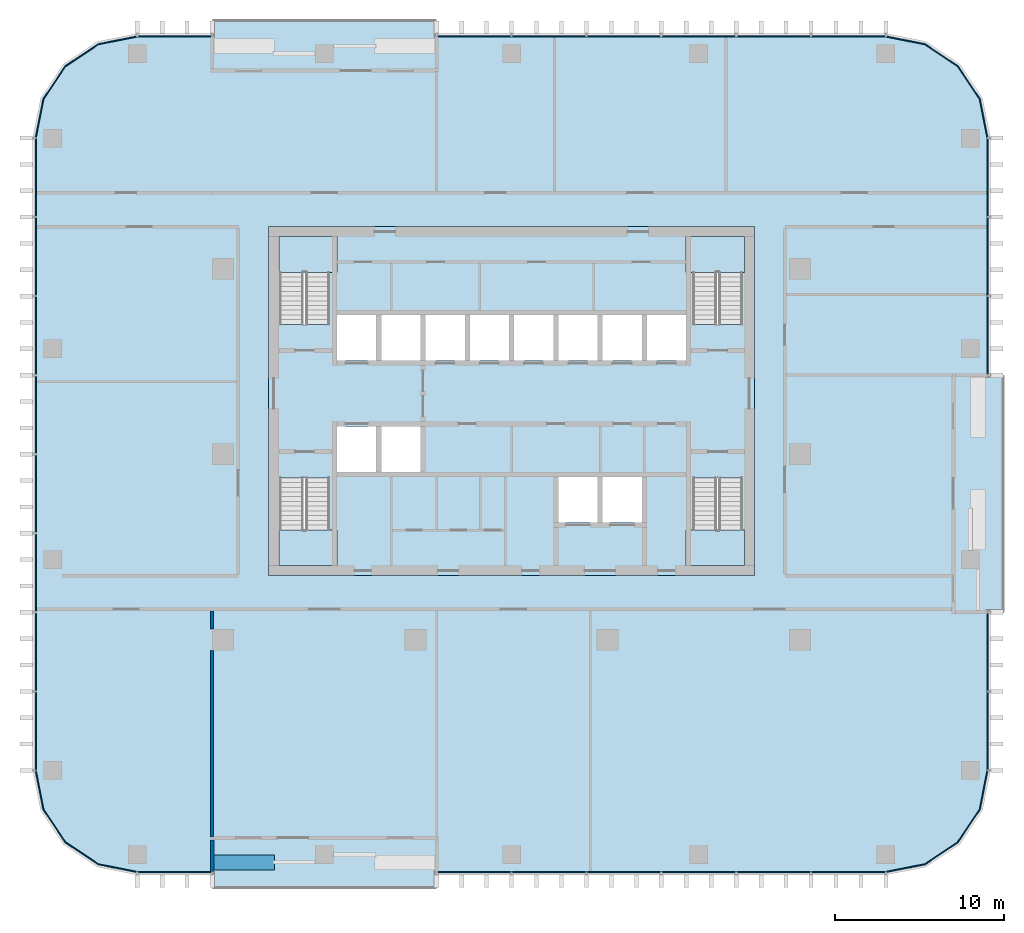
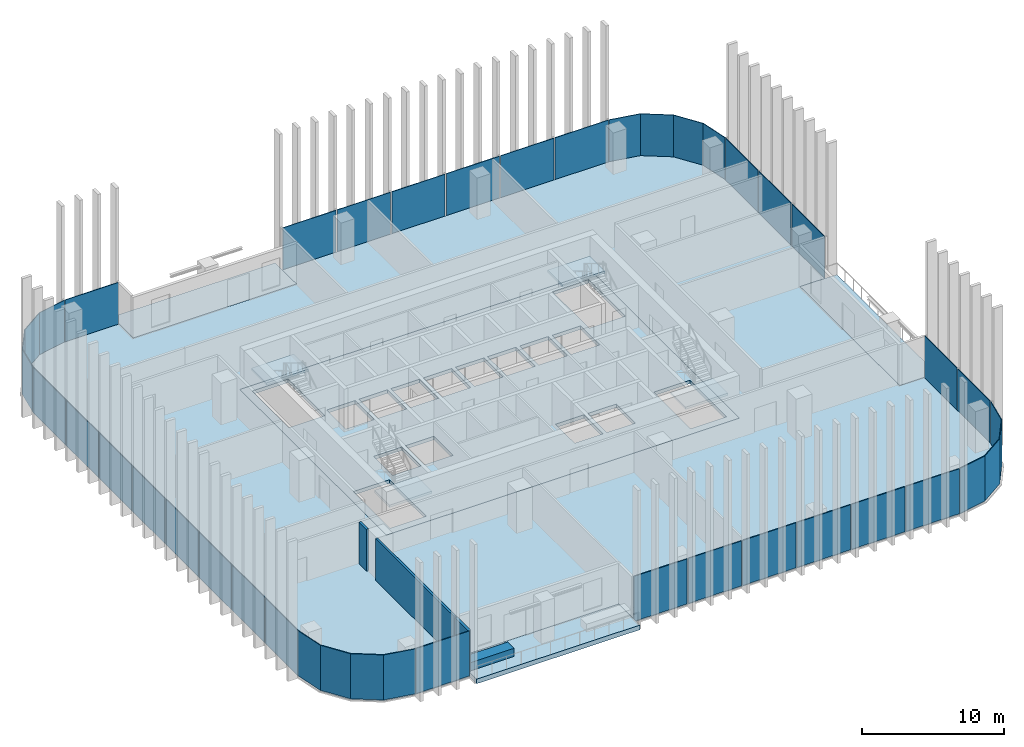
# One storey, part 6 of 15: 31 plates, 9 slabs, 4 walls, 15 elements without a shape of their own.
"""IFC4 building model written with IfcOpenShell, lengths in metres."""

from ifc_helpers import new_model, si_unit, direction, frame, frame_2d, origin, origin_2d, place, context, subcontext, project, spatial, polyline, rectangle, outline, extrude, material, layer, layer_set, type_object, element, aggregate, save


model = new_model("IFC4")

# Units and contexts
model_context = context("Model", 3, precision=1e-05, world=origin(), true_north=direction((0.0, 1.0)))
body_context = subcontext(model_context, "Body", "Model", "MODEL_VIEW")
ifc_project = project(units=[si_unit("LENGTHUNIT", "METRE"), si_unit("AREAUNIT", "SQUARE_METRE"), si_unit("VOLUMEUNIT", "CUBIC_METRE"), si_unit("PLANEANGLEUNIT", "RADIAN"), si_unit("MASSUNIT", "GRAM", prefix="KILO")], contexts=[model_context])

# Site, building, storey
site_placement = place(None, origin())
site = spatial("IfcSite", under=ifc_project, at=site_placement, CompositionType="ELEMENT")
building_placement = place(site_placement, origin())
building = spatial("IfcBuilding", under=site, at=building_placement, Name="Mopane Tessera Tower", CompositionType="ELEMENT")
storey_placement = place(building_placement, frame((0.0, 0.0, 211.0)))
storey = spatial("IfcBuildingStorey", under=building, at=storey_placement, Name="L44", CompositionType="ELEMENT", Elevation=211.0)

# Slab
ifc_material_1 = material(Name="Concrete C40/50", Category="concrete")
ifc_layer_1 = layer(ifc_material_1, 0.300048828125)
ifc_layer_set_1 = layer_set([ifc_layer_1], Name="Concrete C40/50")
slab_type_1 = type_object("IfcSlabType", Name="Core floor slab 300 mm", PredefinedType="FLOOR", material=ifc_layer_set_1)
slab_1_placement = place(storey_placement, frame((0.0, 0.0, -0.300048828125)))
element("IfcSlab", 1, at=slab_1_placement, inside=storey, type_object=slab_type_1, Name="L44 core floor slab", PredefinedType="FLOOR", context=body_context, shape_type="SweptSolid", body=[
    extrude(outline(polyline([(-14.39990234375, -7.199951171875), (14.39990234375, -7.199951171875), (14.39990234375, 13.5), (-14.39990234375, 13.5), (-14.39990234375, -7.199951171875)]), holes=[polyline([(-10.35009765625, -1.050048828125), (-8.02490234375, -1.050048828125), (-8.02490234375, 1.64990234375), (-10.35009765625, 1.64990234375), (-10.35009765625, -1.050048828125)]), polyline([(-7.72509765625, -1.050048828125), (-5.39990234375, -1.050048828125), (-5.39990234375, 1.64990234375), (-7.72509765625, 1.64990234375), (-7.72509765625, -1.050048828125)]), polyline([(-10.35009765625, 5.550048828125), (-8.02490234375, 5.550048828125), (-8.02490234375, 8.25), (-10.35009765625, 8.25), (-10.35009765625, 5.550048828125)]), polyline([(-7.72509765625, 5.550048828125), (-5.39990234375, 5.550048828125), (-5.39990234375, 8.25), (-7.72509765625, 8.25), (-7.72509765625, 5.550048828125)]), polyline([(-5.10009765625, 5.550048828125), (-2.77490234375, 5.550048828125), (-2.77490234375, 8.25), (-5.10009765625, 8.25), (-5.10009765625, 5.550048828125)]), polyline([(-2.47509765625, 5.550048828125), (-0.14990234375, 5.550048828125), (-0.14990234375, 8.25), (-2.47509765625, 8.25), (-2.47509765625, 5.550048828125)]), polyline([(0.14990234375, 5.550048828125), (2.47509765625, 5.550048828125), (2.47509765625, 8.25), (0.14990234375, 8.25), (0.14990234375, 5.550048828125)]), polyline([(2.77490234375, 5.550048828125), (5.10009765625, 5.550048828125), (5.10009765625, 8.25), (2.77490234375, 8.25), (2.77490234375, 5.550048828125)]), polyline([(5.39990234375, 5.550048828125), (7.72509765625, 5.550048828125), (7.72509765625, 8.25), (5.39990234375, 8.25), (5.39990234375, 5.550048828125)]), polyline([(8.02490234375, 5.550048828125), (10.35009765625, 5.550048828125), (10.35009765625, 8.25), (8.02490234375, 8.25), (8.02490234375, 5.550048828125)]), polyline([(2.77490234375, -4.050048828125), (5.10009765625, -4.050048828125), (5.10009765625, -1.35009765625), (2.77490234375, -1.35009765625), (2.77490234375, -4.050048828125)]), polyline([(5.39990234375, -4.050048828125), (7.72509765625, -4.050048828125), (7.72509765625, -1.35009765625), (5.39990234375, -1.35009765625), (5.39990234375, -4.050048828125)]), polyline([(-13.75, -1.405029296875), (-13.75, -6.60009765625), (-10.800048828125, -6.60009765625), (-10.800048828125, -1.405029296875), (-13.75, -1.405029296875)]), polyline([(-10.800048828125, 7.705078125), (-10.800048828125, 12.89990234375), (-13.75, 12.89990234375), (-13.75, 7.705078125), (-10.800048828125, 7.705078125)]), polyline([(10.75, -1.405029296875), (10.75, -6.60009765625), (13.699951171875, -6.60009765625), (13.699951171875, -1.405029296875), (10.75, -1.405029296875)]), polyline([(13.699951171875, 7.705078125), (13.699951171875, 12.89990234375), (10.75, 12.89990234375), (10.75, 7.705078125), (13.699951171875, 7.705078125)])]), origin(), (0.0, 0.0, 1.0), 0.300048828125),
])

# Stair, slab
ifc_material_2 = material(Name="Concrete C50/60", Category="concrete")
stair_type = type_object("IfcStairType", Name="Escape stair 1400 mm, riser 167 mm", PredefinedType="HALF_TURN_STAIR", material=ifc_material_2)
stair_1_placement = place(storey_placement, origin())
stair_1 = element("IfcStair", 2, at=stair_1_placement, inside=storey, type_object=stair_type, Name="L44 Escape stair south-west", PredefinedType="HALF_TURN_STAIR")
ifc_material_3 = material(Name="Concrete C50/60", Category="concrete")
ifc_layer_2 = layer(ifc_material_3, 0.199951171875)
ifc_layer_set_2 = layer_set([ifc_layer_2], Name="Concrete C50/60")
slab_type_2 = type_object("IfcSlabType", Name="Escape stair landing 200 mm", PredefinedType="LANDING", material=ifc_layer_set_2)
slab_2_placement = place(storey_placement, frame((0.0, 0.0, 1.800048828125)))
slab_2 = element("IfcSlab", 3, at=slab_2_placement, type_object=slab_type_2, Name="ST1 landing 1", PredefinedType="LANDING", context=body_context, shape_type="SweptSolid", body=[
    extrude(outline(polyline([(-13.800048828125, -4.47998046875), (-13.800048828125, -6.60009765625), (-10.35009765625, -6.60009765625), (-10.35009765625, -4.47998046875), (-13.800048828125, -4.47998046875)])), origin(), (0.0, 0.0, 1.0), 0.199951171875),
])
aggregate(stair_1, [slab_2])

stair_2_placement = place(storey_placement, origin())
stair_2 = element("IfcStair", 4, at=stair_2_placement, inside=storey, type_object=stair_type, Name="L44 Escape stair north-west", PredefinedType="HALF_TURN_STAIR")
slab_3_placement = place(storey_placement, frame((0.0, 0.0, 1.800048828125)))
slab_3 = element("IfcSlab", 5, at=slab_3_placement, type_object=slab_type_2, Name="ST2 landing 1", PredefinedType="LANDING", context=body_context, shape_type="SweptSolid", body=[
    extrude(outline(polyline([(-10.35009765625, 10.780029296875), (-10.35009765625, 12.89990234375), (-13.800048828125, 12.89990234375), (-13.800048828125, 10.780029296875), (-10.35009765625, 10.780029296875)])), origin(), (0.0, 0.0, 1.0), 0.199951171875),
])
aggregate(stair_2, [slab_3])

stair_3_placement = place(storey_placement, origin())
stair_3 = element("IfcStair", 6, at=stair_3_placement, inside=storey, type_object=stair_type, Name="L44 Escape stair south-east", PredefinedType="HALF_TURN_STAIR")
slab_4_placement = place(storey_placement, frame((0.0, 0.0, 1.800048828125)))
slab_4 = element("IfcSlab", 7, at=slab_4_placement, type_object=slab_type_2, Name="ST3 landing 1", PredefinedType="LANDING", context=body_context, shape_type="SweptSolid", body=[
    extrude(outline(polyline([(10.35009765625, -4.47998046875), (10.35009765625, -6.60009765625), (13.800048828125, -6.60009765625), (13.800048828125, -4.47998046875), (10.35009765625, -4.47998046875)])), origin(), (0.0, 0.0, 1.0), 0.199951171875),
])
aggregate(stair_3, [slab_4])

stair_4_placement = place(storey_placement, origin())
stair_4 = element("IfcStair", 8, at=stair_4_placement, inside=storey, type_object=stair_type, Name="L44 Escape stair north-east", PredefinedType="HALF_TURN_STAIR")
slab_5_placement = place(storey_placement, frame((0.0, 0.0, 1.800048828125)))
slab_5 = element("IfcSlab", 9, at=slab_5_placement, type_object=slab_type_2, Name="ST4 landing 1", PredefinedType="LANDING", context=body_context, shape_type="SweptSolid", body=[
    extrude(outline(polyline([(13.800048828125, 10.780029296875), (13.800048828125, 12.89990234375), (10.35009765625, 12.89990234375), (10.35009765625, 10.780029296875), (13.800048828125, 10.780029296875)])), origin(), (0.0, 0.0, 1.0), 0.199951171875),
])
aggregate(stair_4, [slab_5])

# Slabs
ifc_material_4 = material(Name="Concrete C40/50", Category="concrete")
ifc_layer_3 = layer(ifc_material_4, 0.39990234375)
ifc_layer_set_3 = layer_set([ifc_layer_3], Name="Concrete C40/50")
slab_type_3 = type_object("IfcSlabType", Name="Planted terrace slab 400 mm", PredefinedType="FLOOR", material=ifc_layer_set_3)
slab_6_placement = place(storey_placement, frame((0.0, 0.0, -0.39990234375)))
element("IfcSlab", 10, at=slab_6_placement, inside=storey, type_object=slab_type_3, Name="Terrace slab N1 L44", PredefinedType="FLOOR", context=body_context, shape_type="SweptSolid", body=[
    extrude(outline(polyline([(-4.43994140625, -25.75), (-4.43994140625, -22.75), (-17.760009765625, -22.75), (-17.760009765625, -25.75), (-4.43994140625, -25.75)])), origin(), (0.0, 0.0, 1.0), 0.39990234375),
])
slab_7_placement = place(storey_placement, frame((0.0, 0.0, -0.39990234375)))
element("IfcSlab", 11, at=slab_7_placement, inside=storey, type_object=slab_type_3, Name="Terrace slab N2 L44", PredefinedType="FLOOR", context=body_context, shape_type="SweptSolid", body=[
    extrude(outline(polyline([(29.199951171875, 4.6875), (26.199951171875, 4.6875), (26.199951171875, -9.375), (29.199951171875, -9.375), (29.199951171875, 4.6875)])), origin(), (0.0, 0.0, 1.0), 0.39990234375),
])
slab_8_placement = place(storey_placement, frame((0.0, 0.0, -0.39990234375)))
element("IfcSlab", 12, at=slab_8_placement, inside=storey, type_object=slab_type_3, Name="Terrace slab N3 L44", PredefinedType="FLOOR", context=body_context, shape_type="SweptSolid", body=[
    extrude(outline(polyline([(-17.760009765625, 25.75), (-17.760009765625, 22.75), (-4.43994140625, 22.75), (-4.43994140625, 25.75), (-17.760009765625, 25.75)])), origin(), (0.0, 0.0, 1.0), 0.39990234375),
])
ifc_material_5 = material(Name="Concrete C40/50", Category="concrete")
ifc_layer_4 = layer(ifc_material_5, 0.39990234375)
ifc_layer_set_4 = layer_set([ifc_layer_4], Name="Concrete C40/50")
slab_type_4 = type_object("IfcSlabType", Name="Post-tensioned flat plate 400 mm", PredefinedType="FLOOR", material=ifc_layer_set_4)
slab_9_placement = place(storey_placement, frame((0.0, 0.0, -0.39990234375)))
element("IfcSlab", 13, at=slab_9_placement, inside=storey, type_object=slab_type_4, Name="Floor slab L44", PredefinedType="FLOOR", context=body_context, shape_type="SweptSolid", body=[
    extrude(outline(polyline([(-22.199951171875, -24.75), (-17.760009765625, -24.75), (-17.760009765625, -22.75), (-4.43994140625, -22.75), (-4.43994140625, -24.75), (22.199951171875, -24.75), (24.49609375, -24.293212890625), (26.442626953125, -22.99267578125), (27.7431640625, -21.046142578125), (28.199951171875, -18.75), (28.199951171875, -9.375), (26.199951171875, -9.375), (26.199951171875, 4.6875), (28.199951171875, 4.6875), (28.199951171875, 18.75), (27.7431640625, 21.046142578125), (26.442626953125, 22.99267578125), (24.49609375, 24.293212890625), (22.199951171875, 24.75), (-4.43994140625, 24.75), (-4.43994140625, 22.75), (-17.760009765625, 22.75), (-17.760009765625, 24.75), (-22.199951171875, 24.75), (-24.49609375, 24.293212890625), (-26.442626953125, 22.99267578125), (-27.7431640625, 21.046142578125), (-28.199951171875, 18.75), (-28.199951171875, -18.75), (-27.7431640625, -21.046142578125), (-26.442626953125, -22.99267578125), (-24.49609375, -24.293212890625), (-22.199951171875, -24.75)]), holes=[polyline([(14.39990234375, -7.199951171875), (-14.39990234375, -7.199951171875), (-14.39990234375, 13.5), (14.39990234375, 13.5), (14.39990234375, -7.199951171875)])]), origin(), (0.0, 0.0, 1.0), 0.39990234375),
])

# Curtain wall, plate
ifc_material_6 = material(Name="Aluminium frame", Category="aluminium")
curtain_wall_type = type_object("IfcCurtainWallType", Name="Unitised curtain wall", PredefinedType="NOTDEFINED", material=ifc_material_6)
curtain_wall_1_placement = place(storey_placement, origin())
curtain_wall_1 = element("IfcCurtainWall", 14, at=curtain_wall_1_placement, inside=storey, type_object=curtain_wall_type, Name="e:cw:L44:S:0", PredefinedType="NOTDEFINED")
ifc_material_7 = material(Name="Clear laminated glass", Category="glass")
ifc_layer_5 = layer(ifc_material_7, 0.06005859375)
ifc_layer_set_5 = layer_set([ifc_layer_5], Name="Clear laminated glass")
plate_type = type_object("IfcPlateType", Name="Unitised glazed unit", PredefinedType="CURTAIN_PANEL", material=ifc_layer_set_5)
plate_1_placement = place(storey_placement, frame((-19.97998046875, -24.780029296875, -0.280029296875), z_axis=(0.0, 0.0, 1.0), x_axis=(1.0, 0.0, 0.0)))
plate_1 = element("IfcPlate", 15, at=plate_1_placement, type_object=plate_type, Name="e:cw:L44:S:0:pn0", PredefinedType="CURTAIN_PANEL", context=body_context, shape_type="SweptSolid", body=[
    extrude(rectangle(XDim=4.340087890625, YDim=0.06005859375, at=origin_2d()), origin(), (0.0, 0.0, 1.0), 3.8798828125),
])
aggregate(curtain_wall_1, [plate_1])

# Curtain wall, plates
curtain_wall_2_placement = place(storey_placement, origin())
curtain_wall_2 = element("IfcCurtainWall", 16, at=curtain_wall_2_placement, inside=storey, type_object=curtain_wall_type, Name="e:cw:L44:S:4", PredefinedType="NOTDEFINED")
plate_2_placement = place(storey_placement, frame((-2.219970703125, -24.780029296875, -0.280029296875), z_axis=(0.0, 0.0, 1.0), x_axis=(1.0, 0.0, 0.0)))
plate_2 = element("IfcPlate", 17, at=plate_2_placement, type_object=plate_type, Name="e:cw:L44:S:4:pn4", PredefinedType="CURTAIN_PANEL", context=body_context, shape_type="SweptSolid", body=[
    extrude(rectangle(XDim=4.340087890625, YDim=0.06005859375, at=origin_2d()), origin(), (0.0, 0.0, 1.0), 3.8798828125),
])
plate_3_placement = place(storey_placement, frame((2.219970703125, -24.780029296875, -0.280029296875), z_axis=(0.0, 0.0, 1.0), x_axis=(1.0, 0.0, 0.0)))
plate_3 = element("IfcPlate", 18, at=plate_3_placement, type_object=plate_type, Name="e:cw:L44:S:4:pn5", PredefinedType="CURTAIN_PANEL", context=body_context, shape_type="SweptSolid", body=[
    extrude(rectangle(XDim=4.340087890625, YDim=0.06005859375, at=origin_2d()), origin(), (0.0, 0.0, 1.0), 3.8798828125),
])
plate_4_placement = place(storey_placement, frame((6.659912109375, -24.780029296875, -0.280029296875), z_axis=(0.0, 0.0, 1.0), x_axis=(1.0, 0.0, 0.0)))
plate_4 = element("IfcPlate", 19, at=plate_4_placement, type_object=plate_type, Name="e:cw:L44:S:4:pn6", PredefinedType="CURTAIN_PANEL", context=body_context, shape_type="SweptSolid", body=[
    extrude(rectangle(XDim=4.340087890625, YDim=0.06005859375, at=origin_2d()), origin(), (0.0, 0.0, 1.0), 3.8798828125),
])
plate_5_placement = place(storey_placement, frame((11.10009765625, -24.780029296875, -0.280029296875), z_axis=(0.0, 0.0, 1.0), x_axis=(1.0, 0.0, 0.0)))
plate_5 = element("IfcPlate", 20, at=plate_5_placement, type_object=plate_type, Name="e:cw:L44:S:4:pn7", PredefinedType="CURTAIN_PANEL", context=body_context, shape_type="SweptSolid", body=[
    extrude(rectangle(XDim=4.340087890625, YDim=0.06005859375, at=origin_2d()), origin(), (0.0, 0.0, 1.0), 3.8798828125),
])
plate_6_placement = place(storey_placement, frame((15.5400390625, -24.780029296875, -0.280029296875), z_axis=(0.0, 0.0, 1.0), x_axis=(1.0, 0.0, 0.0)))
plate_6 = element("IfcPlate", 21, at=plate_6_placement, type_object=plate_type, Name="e:cw:L44:S:4:pn8", PredefinedType="CURTAIN_PANEL", context=body_context, shape_type="SweptSolid", body=[
    extrude(rectangle(XDim=4.340087890625, YDim=0.06005859375, at=origin_2d()), origin(), (0.0, 0.0, 1.0), 3.8798828125),
])
plate_7_placement = place(storey_placement, frame((19.97998046875, -24.780029296875, -0.280029296875), z_axis=(0.0, 0.0, 1.0), x_axis=(1.0, 0.0, 0.0)))
plate_7 = element("IfcPlate", 22, at=plate_7_placement, type_object=plate_type, Name="e:cw:L44:S:4:pn9", PredefinedType="CURTAIN_PANEL", context=body_context, shape_type="SweptSolid", body=[
    extrude(rectangle(XDim=4.340087890625, YDim=0.06005859375, at=origin_2d()), origin(), (0.0, 0.0, 1.0), 3.8798828125),
])
aggregate(curtain_wall_2, [plate_2, plate_3, plate_4, plate_5, plate_6, plate_7])

# Curtain wall, plate
curtain_wall_3_placement = place(storey_placement, origin())
curtain_wall_3 = element("IfcCurtainWall", 23, at=curtain_wall_3_placement, inside=storey, type_object=curtain_wall_type, Name="e:cw:L44:CS", PredefinedType="NOTDEFINED")
plate_8_placement = place(storey_placement, frame((0.0, 0.0, -0.280029296875)))
plate_8 = element("IfcPlate", 24, at=plate_8_placement, type_object=plate_type, Name="e:cw:L44:CS:pn", PredefinedType="CURTAIN_PANEL", context=body_context, shape_type="SweptSolid", body=[
    extrude(outline(polyline([(22.199951171875, -24.75), (24.49609375, -24.293212890625), (26.442626953125, -22.99267578125), (27.7431640625, -21.046142578125), (28.199951171875, -18.75), (28.260009765625, -18.75), (27.798828125, -21.069091796875), (26.485107421875, -23.03515625), (24.51904296875, -24.3486328125), (22.199951171875, -24.81005859375), (22.199951171875, -24.75)])), origin(), (0.0, 0.0, 1.0), 3.880126953125),
])
aggregate(curtain_wall_3, [plate_8])

# Curtain wall, plates
curtain_wall_4_placement = place(storey_placement, origin())
curtain_wall_4 = element("IfcCurtainWall", 25, at=curtain_wall_4_placement, inside=storey, type_object=curtain_wall_type, Name="e:cw:L44:E:0", PredefinedType="NOTDEFINED")
plate_9_placement = place(storey_placement, frame((28.22998046875, -16.40625, -0.280029296875), z_axis=(0.0, 0.0, 1.0), x_axis=(0.0, 1.0, 0.0)))
plate_9 = element("IfcPlate", 26, at=plate_9_placement, type_object=plate_type, Name="e:cw:L44:E:0:pn0", PredefinedType="CURTAIN_PANEL", context=body_context, shape_type="SweptSolid", body=[
    extrude(rectangle(XDim=4.58740234375, YDim=0.06005859375, at=origin_2d()), origin(), (0.0, 0.0, 1.0), 3.8798828125),
])
plate_10_placement = place(storey_placement, frame((28.22998046875, -11.71875, -0.280029296875), z_axis=(0.0, 0.0, 1.0), x_axis=(0.0, 1.0, 0.0)))
plate_10 = element("IfcPlate", 27, at=plate_10_placement, type_object=plate_type, Name="e:cw:L44:E:0:pn1", PredefinedType="CURTAIN_PANEL", context=body_context, shape_type="SweptSolid", body=[
    extrude(rectangle(XDim=4.58740234375, YDim=0.06005859375, at=origin_2d()), origin(), (0.0, 0.0, 1.0), 3.8798828125),
])
aggregate(curtain_wall_4, [plate_9, plate_10])

curtain_wall_5_placement = place(storey_placement, origin())
curtain_wall_5 = element("IfcCurtainWall", 28, at=curtain_wall_5_placement, inside=storey, type_object=curtain_wall_type, Name="e:cw:L44:E:5", PredefinedType="NOTDEFINED")
plate_11_placement = place(storey_placement, frame((28.22998046875, 7.03125, -0.280029296875), z_axis=(0.0, 0.0, 1.0), x_axis=(0.0, 1.0, 0.0)))
plate_11 = element("IfcPlate", 29, at=plate_11_placement, type_object=plate_type, Name="e:cw:L44:E:5:pn5", PredefinedType="CURTAIN_PANEL", context=body_context, shape_type="SweptSolid", body=[
    extrude(rectangle(XDim=4.58740234375, YDim=0.06005859375, at=origin_2d()), origin(), (0.0, 0.0, 1.0), 3.8798828125),
])
plate_12_placement = place(storey_placement, frame((28.22998046875, 11.71875, -0.280029296875), z_axis=(0.0, 0.0, 1.0), x_axis=(0.0, 1.0, 0.0)))
plate_12 = element("IfcPlate", 30, at=plate_12_placement, type_object=plate_type, Name="e:cw:L44:E:5:pn6", PredefinedType="CURTAIN_PANEL", context=body_context, shape_type="SweptSolid", body=[
    extrude(rectangle(XDim=4.58740234375, YDim=0.06005859375, at=origin_2d()), origin(), (0.0, 0.0, 1.0), 3.8798828125),
])
plate_13_placement = place(storey_placement, frame((28.22998046875, 16.40625, -0.280029296875), z_axis=(0.0, 0.0, 1.0), x_axis=(0.0, 1.0, 0.0)))
plate_13 = element("IfcPlate", 31, at=plate_13_placement, type_object=plate_type, Name="e:cw:L44:E:5:pn7", PredefinedType="CURTAIN_PANEL", context=body_context, shape_type="SweptSolid", body=[
    extrude(rectangle(XDim=4.58740234375, YDim=0.06005859375, at=origin_2d()), origin(), (0.0, 0.0, 1.0), 3.8798828125),
])
aggregate(curtain_wall_5, [plate_11, plate_12, plate_13])

# Curtain wall, plate
curtain_wall_6_placement = place(storey_placement, origin())
curtain_wall_6 = element("IfcCurtainWall", 32, at=curtain_wall_6_placement, inside=storey, type_object=curtain_wall_type, Name="e:cw:L44:CE", PredefinedType="NOTDEFINED")
plate_14_placement = place(storey_placement, frame((0.0, 0.0, -0.280029296875)))
plate_14 = element("IfcPlate", 33, at=plate_14_placement, type_object=plate_type, Name="e:cw:L44:CE:pn", PredefinedType="CURTAIN_PANEL", context=body_context, shape_type="SweptSolid", body=[
    extrude(outline(polyline([(28.199951171875, 18.75), (27.7431640625, 21.046142578125), (26.442626953125, 22.99267578125), (24.49609375, 24.293212890625), (22.199951171875, 24.75), (22.199951171875, 24.81005859375), (24.51904296875, 24.3486328125), (26.485107421875, 23.03515625), (27.798828125, 21.069091796875), (28.260009765625, 18.75), (28.199951171875, 18.75)])), origin(), (0.0, 0.0, 1.0), 3.880126953125),
])
aggregate(curtain_wall_6, [plate_14])

# Curtain wall, plates
curtain_wall_7_placement = place(storey_placement, origin())
curtain_wall_7 = element("IfcCurtainWall", 34, at=curtain_wall_7_placement, inside=storey, type_object=curtain_wall_type, Name="e:cw:L44:N:0", PredefinedType="NOTDEFINED")
plate_15_placement = place(storey_placement, frame((19.97998046875, 24.780029296875, -0.280029296875), z_axis=(0.0, 0.0, 1.0), x_axis=(-1.0, 0.0, 0.0)))
plate_15 = element("IfcPlate", 35, at=plate_15_placement, type_object=plate_type, Name="e:cw:L44:N:0:pn0", PredefinedType="CURTAIN_PANEL", context=body_context, shape_type="SweptSolid", body=[
    extrude(rectangle(XDim=4.340087890625, YDim=0.06005859375, at=origin_2d()), origin(), (0.0, 0.0, 1.0), 3.8798828125),
])
plate_16_placement = place(storey_placement, frame((15.5400390625, 24.780029296875, -0.280029296875), z_axis=(0.0, 0.0, 1.0), x_axis=(-1.0, 0.0, 0.0)))
plate_16 = element("IfcPlate", 36, at=plate_16_placement, type_object=plate_type, Name="e:cw:L44:N:0:pn1", PredefinedType="CURTAIN_PANEL", context=body_context, shape_type="SweptSolid", body=[
    extrude(rectangle(XDim=4.340087890625, YDim=0.06005859375, at=origin_2d()), origin(), (0.0, 0.0, 1.0), 3.8798828125),
])
plate_17_placement = place(storey_placement, frame((11.10009765625, 24.780029296875, -0.280029296875), z_axis=(0.0, 0.0, 1.0), x_axis=(-1.0, 0.0, 0.0)))
plate_17 = element("IfcPlate", 37, at=plate_17_placement, type_object=plate_type, Name="e:cw:L44:N:0:pn2", PredefinedType="CURTAIN_PANEL", context=body_context, shape_type="SweptSolid", body=[
    extrude(rectangle(XDim=4.340087890625, YDim=0.06005859375, at=origin_2d()), origin(), (0.0, 0.0, 1.0), 3.8798828125),
])
plate_18_placement = place(storey_placement, frame((6.659912109375, 24.780029296875, -0.280029296875), z_axis=(0.0, 0.0, 1.0), x_axis=(-1.0, 0.0, 0.0)))
plate_18 = element("IfcPlate", 38, at=plate_18_placement, type_object=plate_type, Name="e:cw:L44:N:0:pn3", PredefinedType="CURTAIN_PANEL", context=body_context, shape_type="SweptSolid", body=[
    extrude(rectangle(XDim=4.340087890625, YDim=0.06005859375, at=origin_2d()), origin(), (0.0, 0.0, 1.0), 3.8798828125),
])
plate_19_placement = place(storey_placement, frame((2.219970703125, 24.780029296875, -0.280029296875), z_axis=(0.0, 0.0, 1.0), x_axis=(-1.0, 0.0, 0.0)))
plate_19 = element("IfcPlate", 39, at=plate_19_placement, type_object=plate_type, Name="e:cw:L44:N:0:pn4", PredefinedType="CURTAIN_PANEL", context=body_context, shape_type="SweptSolid", body=[
    extrude(rectangle(XDim=4.340087890625, YDim=0.06005859375, at=origin_2d()), origin(), (0.0, 0.0, 1.0), 3.8798828125),
])
plate_20_placement = place(storey_placement, frame((-2.219970703125, 24.780029296875, -0.280029296875), z_axis=(0.0, 0.0, 1.0), x_axis=(-1.0, 0.0, 0.0)))
plate_20 = element("IfcPlate", 40, at=plate_20_placement, type_object=plate_type, Name="e:cw:L44:N:0:pn5", PredefinedType="CURTAIN_PANEL", context=body_context, shape_type="SweptSolid", body=[
    extrude(rectangle(XDim=4.340087890625, YDim=0.06005859375, at=origin_2d()), origin(), (0.0, 0.0, 1.0), 3.8798828125),
])
aggregate(curtain_wall_7, [plate_15, plate_16, plate_17, plate_18, plate_19, plate_20])

# Curtain wall, plate
curtain_wall_8_placement = place(storey_placement, origin())
curtain_wall_8 = element("IfcCurtainWall", 41, at=curtain_wall_8_placement, inside=storey, type_object=curtain_wall_type, Name="e:cw:L44:N:9", PredefinedType="NOTDEFINED")
plate_21_placement = place(storey_placement, frame((-19.97998046875, 24.780029296875, -0.280029296875), z_axis=(0.0, 0.0, 1.0), x_axis=(-1.0, 0.0, 0.0)))
plate_21 = element("IfcPlate", 42, at=plate_21_placement, type_object=plate_type, Name="e:cw:L44:N:9:pn9", PredefinedType="CURTAIN_PANEL", context=body_context, shape_type="SweptSolid", body=[
    extrude(rectangle(XDim=4.340087890625, YDim=0.06005859375, at=origin_2d()), origin(), (0.0, 0.0, 1.0), 3.8798828125),
])
aggregate(curtain_wall_8, [plate_21])

curtain_wall_9_placement = place(storey_placement, origin())
curtain_wall_9 = element("IfcCurtainWall", 43, at=curtain_wall_9_placement, inside=storey, type_object=curtain_wall_type, Name="e:cw:L44:CN", PredefinedType="NOTDEFINED")
plate_22_placement = place(storey_placement, frame((0.0, 0.0, -0.280029296875)))
plate_22 = element("IfcPlate", 44, at=plate_22_placement, type_object=plate_type, Name="e:cw:L44:CN:pn", PredefinedType="CURTAIN_PANEL", context=body_context, shape_type="SweptSolid", body=[
    extrude(outline(polyline([(-22.199951171875, 24.75), (-24.49609375, 24.293212890625), (-26.442626953125, 22.99267578125), (-27.7431640625, 21.046142578125), (-28.199951171875, 18.75), (-28.260009765625, 18.75), (-27.798828125, 21.069091796875), (-26.485107421875, 23.03515625), (-24.51904296875, 24.3486328125), (-22.199951171875, 24.81005859375), (-22.199951171875, 24.75)])), origin(), (0.0, 0.0, 1.0), 3.880126953125),
])
aggregate(curtain_wall_9, [plate_22])

# Curtain wall, plates
curtain_wall_10_placement = place(storey_placement, origin())
curtain_wall_10 = element("IfcCurtainWall", 45, at=curtain_wall_10_placement, inside=storey, type_object=curtain_wall_type, Name="e:cw:L44:W:0", PredefinedType="NOTDEFINED")
plate_23_placement = place(storey_placement, frame((-28.22998046875, 16.40625, -0.280029296875), z_axis=(0.0, 0.0, 1.0), x_axis=(0.0, -1.0, 0.0)))
plate_23 = element("IfcPlate", 46, at=plate_23_placement, type_object=plate_type, Name="e:cw:L44:W:0:pn0", PredefinedType="CURTAIN_PANEL", context=body_context, shape_type="SweptSolid", body=[
    extrude(rectangle(XDim=4.58740234375, YDim=0.06005859375, at=origin_2d()), origin(), (0.0, 0.0, 1.0), 3.8798828125),
])
plate_24_placement = place(storey_placement, frame((-28.22998046875, 11.71875, -0.280029296875), z_axis=(0.0, 0.0, 1.0), x_axis=(0.0, -1.0, 0.0)))
plate_24 = element("IfcPlate", 47, at=plate_24_placement, type_object=plate_type, Name="e:cw:L44:W:0:pn1", PredefinedType="CURTAIN_PANEL", context=body_context, shape_type="SweptSolid", body=[
    extrude(rectangle(XDim=4.58740234375, YDim=0.06005859375, at=origin_2d()), origin(), (0.0, 0.0, 1.0), 3.8798828125),
])
plate_25_placement = place(storey_placement, frame((-28.22998046875, 7.03125, -0.280029296875), z_axis=(0.0, 0.0, 1.0), x_axis=(0.0, -1.0, 0.0)))
plate_25 = element("IfcPlate", 48, at=plate_25_placement, type_object=plate_type, Name="e:cw:L44:W:0:pn2", PredefinedType="CURTAIN_PANEL", context=body_context, shape_type="SweptSolid", body=[
    extrude(rectangle(XDim=4.58740234375, YDim=0.06005859375, at=origin_2d()), origin(), (0.0, 0.0, 1.0), 3.8798828125),
])
plate_26_placement = place(storey_placement, frame((-28.22998046875, 2.34375, -0.280029296875), z_axis=(0.0, 0.0, 1.0), x_axis=(0.0, -1.0, 0.0)))
plate_26 = element("IfcPlate", 49, at=plate_26_placement, type_object=plate_type, Name="e:cw:L44:W:0:pn3", PredefinedType="CURTAIN_PANEL", context=body_context, shape_type="SweptSolid", body=[
    extrude(rectangle(XDim=4.58740234375, YDim=0.06005859375, at=origin_2d()), origin(), (0.0, 0.0, 1.0), 3.8798828125),
])
plate_27_placement = place(storey_placement, frame((-28.22998046875, -2.34375, -0.280029296875), z_axis=(0.0, 0.0, 1.0), x_axis=(0.0, -1.0, 0.0)))
plate_27 = element("IfcPlate", 50, at=plate_27_placement, type_object=plate_type, Name="e:cw:L44:W:0:pn4", PredefinedType="CURTAIN_PANEL", context=body_context, shape_type="SweptSolid", body=[
    extrude(rectangle(XDim=4.58740234375, YDim=0.06005859375, at=origin_2d()), origin(), (0.0, 0.0, 1.0), 3.8798828125),
])
plate_28_placement = place(storey_placement, frame((-28.22998046875, -7.03125, -0.280029296875), z_axis=(0.0, 0.0, 1.0), x_axis=(0.0, -1.0, 0.0)))
plate_28 = element("IfcPlate", 51, at=plate_28_placement, type_object=plate_type, Name="e:cw:L44:W:0:pn5", PredefinedType="CURTAIN_PANEL", context=body_context, shape_type="SweptSolid", body=[
    extrude(rectangle(XDim=4.58740234375, YDim=0.06005859375, at=origin_2d()), origin(), (0.0, 0.0, 1.0), 3.8798828125),
])
plate_29_placement = place(storey_placement, frame((-28.22998046875, -11.71875, -0.280029296875), z_axis=(0.0, 0.0, 1.0), x_axis=(0.0, -1.0, 0.0)))
plate_29 = element("IfcPlate", 52, at=plate_29_placement, type_object=plate_type, Name="e:cw:L44:W:0:pn6", PredefinedType="CURTAIN_PANEL", context=body_context, shape_type="SweptSolid", body=[
    extrude(rectangle(XDim=4.58740234375, YDim=0.06005859375, at=origin_2d()), origin(), (0.0, 0.0, 1.0), 3.8798828125),
])
plate_30_placement = place(storey_placement, frame((-28.22998046875, -16.40625, -0.280029296875), z_axis=(0.0, 0.0, 1.0), x_axis=(0.0, -1.0, 0.0)))
plate_30 = element("IfcPlate", 53, at=plate_30_placement, type_object=plate_type, Name="e:cw:L44:W:0:pn7", PredefinedType="CURTAIN_PANEL", context=body_context, shape_type="SweptSolid", body=[
    extrude(rectangle(XDim=4.58740234375, YDim=0.06005859375, at=origin_2d()), origin(), (0.0, 0.0, 1.0), 3.8798828125),
])
aggregate(curtain_wall_10, [plate_23, plate_24, plate_25, plate_26, plate_27, plate_28, plate_29, plate_30])

# Curtain wall, plate
curtain_wall_11_placement = place(storey_placement, origin())
curtain_wall_11 = element("IfcCurtainWall", 54, at=curtain_wall_11_placement, inside=storey, type_object=curtain_wall_type, Name="e:cw:L44:CW", PredefinedType="NOTDEFINED")
plate_31_placement = place(storey_placement, frame((0.0, 0.0, -0.280029296875)))
plate_31 = element("IfcPlate", 55, at=plate_31_placement, type_object=plate_type, Name="e:cw:L44:CW:pn", PredefinedType="CURTAIN_PANEL", context=body_context, shape_type="SweptSolid", body=[
    extrude(outline(polyline([(-28.199951171875, -18.75), (-27.7431640625, -21.046142578125), (-26.442626953125, -22.99267578125), (-24.49609375, -24.293212890625), (-22.199951171875, -24.75), (-22.199951171875, -24.81005859375), (-24.51904296875, -24.3486328125), (-26.485107421875, -23.03515625), (-27.798828125, -21.069091796875), (-28.260009765625, -18.75), (-28.199951171875, -18.75)])), origin(), (0.0, 0.0, 1.0), 3.880126953125),
])
aggregate(curtain_wall_11, [plate_31])

# Walls
ifc_material_8 = material(Name="Gypsum board on staggered steel studs, double layer each face, acoustic mineral wool infill", Category="steel")
ifc_layer_6 = layer(ifc_material_8, 0.175048828125)
ifc_layer_set_6 = layer_set([ifc_layer_6], Name="Gypsum board on staggered steel studs, double layer each face, acoustic mineral wool infill")
wall_type_1 = type_object("IfcWallType", Name="Gypsum board acoustic partition 175, rated EI 60", PredefinedType="PARTITIONING", material=ifc_layer_set_6)
wall_1_placement = place(storey_placement, frame((-17.760009765625, -22.699951171875, 0.0), z_axis=(0.0, 0.0, 1.0), x_axis=(0.0, 1.0, 0.0)))
element("IfcWall", 56, at=wall_1_placement, inside=storey, type_object=wall_type_1, Name="Partition L44:010", PredefinedType="PARTITIONING", context=body_context, shape_type="SweptSolid", body=[
    extrude(rectangle(XDim=11.050048828125, YDim=0.175048828125, at=frame_2d((5.52490234375, 0.0))), origin(), (0.0, 0.0, 1.0), 3.60009765625),
])
wall_2_placement = place(storey_placement, frame((-17.760009765625, -10.35009765625, 0.0), z_axis=(0.0, 0.0, 1.0), x_axis=(0.0, 1.0, 0.0)))
element("IfcWall", 57, at=wall_2_placement, inside=storey, type_object=wall_type_1, Name="Partition L44:011", PredefinedType="PARTITIONING", context=body_context, shape_type="SweptSolid", body=[
    extrude(rectangle(XDim=1.050048828125, YDim=0.175048828125, at=frame_2d((0.52490234375, 0.0))), origin(), (0.0, 0.0, 1.0), 3.60009765625),
])
ifc_material_9 = material(Name="Reinforced concrete C32/40 with waterproofing", Category="concrete")
ifc_layer_7 = layer(ifc_material_9, 0.89990234375)
ifc_layer_set_7 = layer_set([ifc_layer_7], Name="Reinforced concrete C32/40 with waterproofing")
wall_type_2 = type_object("IfcWallType", Name="Planter trough 3600 x 900", PredefinedType="STANDARD", material=ifc_layer_set_7)
wall_3_placement = place(storey_placement, frame((-17.659912109375, -24.199951171875, 0.0), z_axis=(0.0, 0.0, 1.0), x_axis=(1.0, 0.0, 0.0)))
element("IfcWall", 58, at=wall_3_placement, inside=storey, type_object=wall_type_2, Name="e:nw:L44:N1:pl0", PredefinedType="STANDARD", context=body_context, shape_type="SweptSolid", body=[
    extrude(rectangle(XDim=3.599853515625, YDim=0.89990234375, at=frame_2d((1.7998046875, 0.0))), origin(), (0.0, 0.0, 1.0), 0.699951171875),
])
ifc_material_10 = material(Name="Blockwork with glazed tile facing", Category="masonry")
ifc_layer_8 = layer(ifc_material_10, 0.199951171875)
ifc_layer_set_8 = layer_set([ifc_layer_8], Name="Blockwork with glazed tile facing")
wall_type_3 = type_object("IfcWallType", Name="Terrace cheek wall 200", PredefinedType="STANDARD", material=ifc_layer_set_8)
wall_4_placement = place(storey_placement, frame((-17.760009765625, -24.75, 0.0), z_axis=(0.0, 0.0, 1.0), x_axis=(0.0, 1.0, 0.0)))
element("IfcWall", 59, at=wall_4_placement, inside=storey, type_object=wall_type_3, Name="e:nw:L44:N1:cheeka", PredefinedType="STANDARD", context=body_context, shape_type="SweptSolid", body=[
    extrude(rectangle(XDim=1.875, YDim=0.199951171875, at=frame_2d((0.9375, 0.0))), origin(), (0.0, 0.0, 1.0), 3.60009765625),
])

save(model, "model.ifc")
